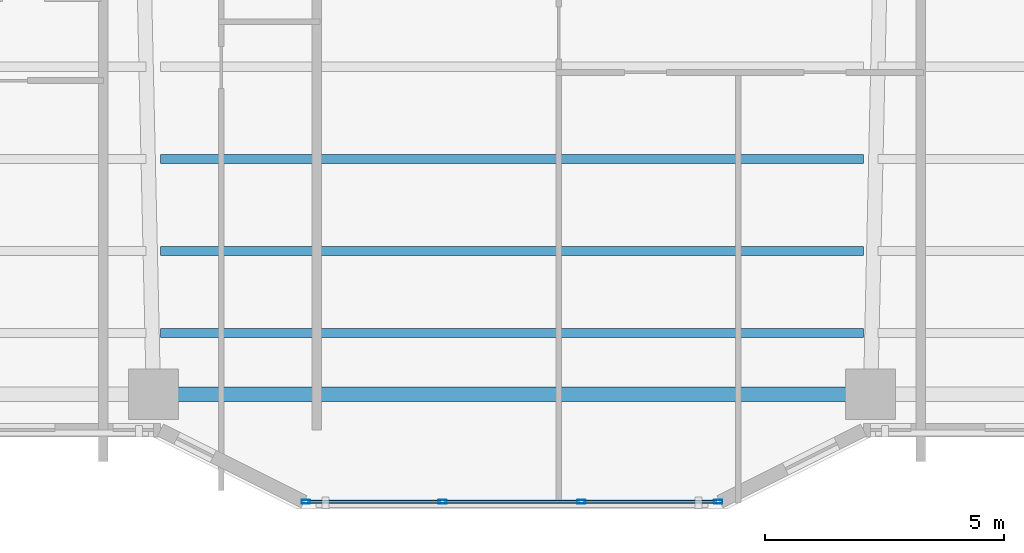
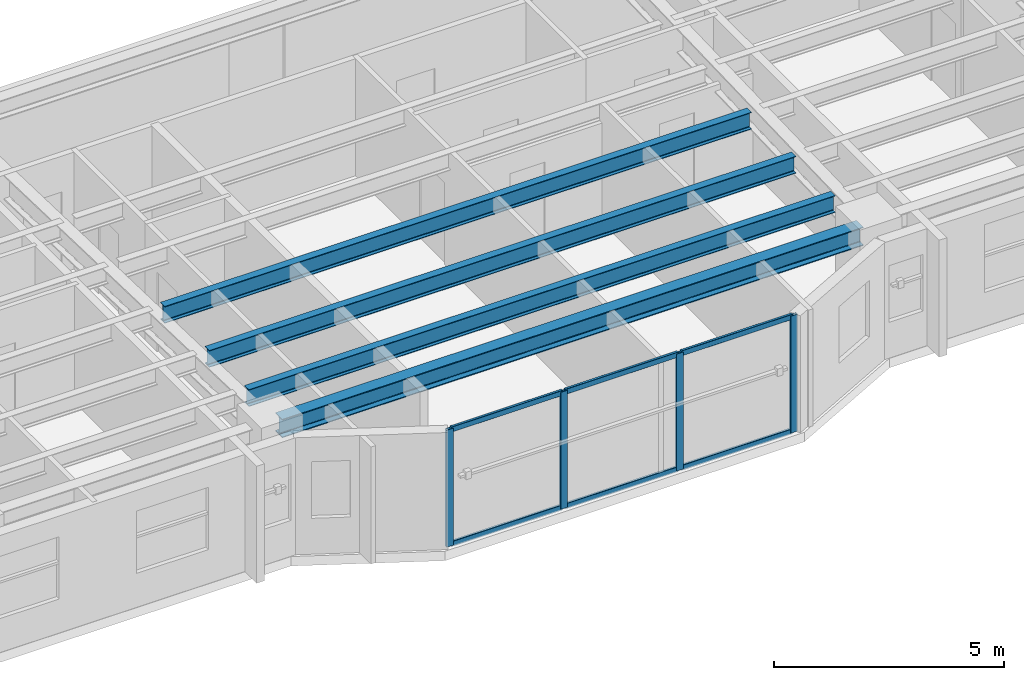
# One storey, part 2 of 18: 10 members, 4 beams, 1 element without a shape of its own.
"""IFC4 building model written with IfcOpenShell, lengths in metres."""

from ifc_helpers import new_model, si_unit, direction, frame, origin, origin_2d, place, context, subcontext, project, spatial, hollow_rectangle, i_section, extrude, material, layer, layer_set, material_profile, profile_set, type_object, element, aggregate, save


model = new_model("IFC4")

# Units and contexts
model_context = context("Model", 3, precision=1e-05, world=origin(), true_north=direction((0.0, 1.0)))
body_context = subcontext(model_context, "Body", "Model", "MODEL_VIEW")
ifc_project = project(units=[si_unit("LENGTHUNIT", "METRE"), si_unit("AREAUNIT", "SQUARE_METRE"), si_unit("VOLUMEUNIT", "CUBIC_METRE"), si_unit("PLANEANGLEUNIT", "RADIAN"), si_unit("MASSUNIT", "GRAM", prefix="KILO")], contexts=[model_context])

# Site, building, storey
site_placement = place(None, origin())
site = spatial("IfcSite", under=ifc_project, at=site_placement, CompositionType="ELEMENT")
building_placement = place(site_placement, origin())
building = spatial("IfcBuilding", under=site, at=building_placement, Name="Tarnavaz Court Tower", CompositionType="ELEMENT")
storey_placement = place(building_placement, frame((0.0, 0.0, 88.35009765625)))
storey = spatial("IfcBuildingStorey", under=building, at=storey_placement, Name="L23", CompositionType="ELEMENT", Elevation=88.35009765625)

# Beams
ifc_material_1 = material(Name="Steel S355", Category="steel")
ifc_material_profile_1 = material_profile(ifc_material_1, i_section(OverallWidth=0.18994140625, OverallDepth=0.449951171875, WebThickness=0.009521484375, FlangeThickness=0.0146484375, FilletRadius=0.02099609375, at=origin_2d()), Name="IPE 450")
ifc_profile_set_1 = profile_set([ifc_material_profile_1], Name="Steel S355")
beam_type_1 = type_object("IfcBeamType", Name="BM-J-IPE450", PredefinedType="JOIST", material=ifc_profile_set_1)
for number, where, z_axis, x_axis, name in (
    (1, (-7.35009765625, -16.3779296875, 2.875), (1.0, 0.0, 0.0), (0.0, 1.0, 0.0), "L23 Beam JS3-2"),
    (2, (-7.35009765625, -18.303955078125, 2.875), (1.0, 0.0, 0.0), (0.0, 1.0, 0.0), "L23 Beam JS4-2"),
    (3, (-7.35009765625, -20.01611328125, 2.875), (1.0, 0.0, 0.0), (0.0, 1.0, 0.0), "L23 Beam JS5-2"),
):
    element("IfcBeam", number, at=place(storey_placement, frame(where, z_axis=z_axis, x_axis=x_axis)), inside=storey, type_object=beam_type_1, Name=name, PredefinedType="JOIST", context=body_context, shape_type="SweptSolid", body=[
        extrude(i_section(OverallWidth=0.18994140625, OverallDepth=0.449951171875, WebThickness=0.009521484375, FlangeThickness=0.0146484375, FilletRadius=0.02099609375, at=origin_2d()), origin(), (0.0, 0.0, 1.0), 14.7001953125),
    ])
ifc_material_profile_2 = material_profile(ifc_material_1, i_section(OverallWidth=0.300048828125, OverallDepth=0.489990234375, WebThickness=0.011962890625, FlangeThickness=0.02294921875, FilletRadius=0.027099609375, at=origin_2d()), Name="HEA 500")
ifc_profile_set_2 = profile_set([ifc_material_profile_2], Name="Steel S355")
beam_type_2 = type_object("IfcBeamType", Name="BM-SP-HEA500", PredefinedType="SPANDREL", material=ifc_profile_set_2)
beam_placement = place(storey_placement, frame((-7.280029296875, -21.300048828125, 2.85498046875), z_axis=(1.0, 0.0, 0.0), x_axis=(0.0, 1.0, 0.0)))
element("IfcBeam", 4, at=beam_placement, inside=storey, type_object=beam_type_2, Name="L23 Beam PR-PS-2-PS-3", PredefinedType="SPANDREL", context=body_context, shape_type="SweptSolid", body=[
    extrude(i_section(OverallWidth=0.300048828125, OverallDepth=0.489990234375, WebThickness=0.011962890625, FlangeThickness=0.02294921875, FilletRadius=0.027099609375, at=origin_2d()), origin(), (0.0, 0.0, 1.0), 14.56005859375),
])

# Curtain wall, members
ifc_material_2 = material(Name="Anodised Aluminium 6063-T6 and Solar Low-E Glazing", Category="aluminium")
ifc_layer = layer(ifc_material_2, 0.179931640625)
ifc_layer_set = layer_set([ifc_layer], Name="Anodised Aluminium 6063-T6 and Solar Low-E Glazing")
curtain_wall_type = type_object("IfcCurtainWallType", Name="CW-SYS-02", PredefinedType="NOTDEFINED", material=ifc_layer_set)
curtain_wall_placement = place(storey_placement, origin())
curtain_wall = element("IfcCurtainWall", 5, at=curtain_wall_placement, inside=storey, type_object=curtain_wall_type, Name="L23 Iwan Prow Curtain Wall 17", PredefinedType="NOTDEFINED")
ifc_material_3 = material(Name="Anodised Aluminium 6063-T6", Category="aluminium")
ifc_material_profile_3 = material_profile(ifc_material_3, hollow_rectangle(XDim=0.074951171875, YDim=0.179931640625, WallThickness=0.0048828125, InnerFilletRadius=0.0048828125, OuterFilletRadius=0.010009765625, at=origin_2d()), Name="ALU RHS 180X75X5")
ifc_profile_set_3 = profile_set([ifc_material_profile_3], Name="Anodised Aluminium 6063-T6")
member_type_1 = type_object("IfcMemberType", Name="CW-MUL-180", PredefinedType="MULLION", material=ifc_profile_set_3)
member_1_placement = place(storey_placement, frame((4.3125, -23.550048828125, 0.0), z_axis=(0.0, 0.0, 1.0), x_axis=(0.0, -1.0, 0.0)))
member_1 = element("IfcMember", 6, at=member_1_placement, type_object=member_type_1, Name="CW mullion 1", PredefinedType="MULLION", context=body_context, shape_type="SweptSolid", body=[
    extrude(hollow_rectangle(XDim=0.074951171875, YDim=0.179931640625, WallThickness=0.0048828125, InnerFilletRadius=0.0048828125, OuterFilletRadius=0.010009765625, at=origin_2d()), origin(), (0.0, 0.0, 1.0), 3.099853515625),
])
member_2_placement = place(storey_placement, frame((1.449951171875, -23.550048828125, 0.0), z_axis=(0.0, 0.0, 1.0), x_axis=(0.0, -1.0, 0.0)))
member_2 = element("IfcMember", 7, at=member_2_placement, type_object=member_type_1, Name="CW mullion 2", PredefinedType="MULLION", context=body_context, shape_type="SweptSolid", body=[
    extrude(hollow_rectangle(XDim=0.074951171875, YDim=0.179931640625, WallThickness=0.0048828125, InnerFilletRadius=0.0048828125, OuterFilletRadius=0.010009765625, at=origin_2d()), origin(), (0.0, 0.0, 1.0), 3.099853515625),
])
member_3_placement = place(storey_placement, frame((-1.449951171875, -23.550048828125, 0.0), z_axis=(0.0, 0.0, 1.0), x_axis=(0.0, -1.0, 0.0)))
member_3 = element("IfcMember", 8, at=member_3_placement, type_object=member_type_1, Name="CW mullion 3", PredefinedType="MULLION", context=body_context, shape_type="SweptSolid", body=[
    extrude(hollow_rectangle(XDim=0.074951171875, YDim=0.179931640625, WallThickness=0.0048828125, InnerFilletRadius=0.0048828125, OuterFilletRadius=0.010009765625, at=origin_2d()), origin(), (0.0, 0.0, 1.0), 3.099853515625),
])
member_4_placement = place(storey_placement, frame((-4.3125, -23.550048828125, 0.0), z_axis=(0.0, 0.0, 1.0), x_axis=(0.0, -1.0, 0.0)))
member_4 = element("IfcMember", 9, at=member_4_placement, type_object=member_type_1, Name="CW mullion 4", PredefinedType="MULLION", context=body_context, shape_type="SweptSolid", body=[
    extrude(hollow_rectangle(XDim=0.074951171875, YDim=0.179931640625, WallThickness=0.0048828125, InnerFilletRadius=0.0048828125, OuterFilletRadius=0.010009765625, at=origin_2d()), origin(), (0.0, 0.0, 1.0), 3.099853515625),
])
ifc_material_profile_4 = material_profile(ifc_material_3, hollow_rectangle(XDim=0.06494140625, YDim=0.139892578125, WallThickness=0.00390625, InnerFilletRadius=0.00390625, OuterFilletRadius=0.008056640625, at=origin_2d()), Name="ALU RHS 140X65X4")
ifc_profile_set_4 = profile_set([ifc_material_profile_4], Name="Anodised Aluminium 6063-T6")
member_type_2 = type_object("IfcMemberType", Name="CW-TRN-140", PredefinedType="USERDEFINED", material=ifc_profile_set_4)
member_5_placement = place(storey_placement, frame((4.27490234375, -23.550048828125, 0.032470703125), z_axis=(-1.0, 0.0, 0.0), x_axis=(0.0, -1.0, 0.0)))
member_5 = element("IfcMember", 10, at=member_5_placement, type_object=member_type_2, Name="CW transom 1.1", ObjectType="TRANSOM", PredefinedType="USERDEFINED", context=body_context, shape_type="SweptSolid", body=[
    extrude(hollow_rectangle(XDim=0.06494140625, YDim=0.139892578125, WallThickness=0.00390625, InnerFilletRadius=0.00390625, OuterFilletRadius=0.008056640625, at=origin_2d()), origin(), (0.0, 0.0, 1.0), 2.787353515625),
])
member_6_placement = place(storey_placement, frame((4.27490234375, -23.550048828125, 3.0673828125), z_axis=(-1.0, 0.0, 0.0), x_axis=(0.0, -1.0, 0.0)))
member_6 = element("IfcMember", 11, at=member_6_placement, type_object=member_type_2, Name="CW transom 1.2", ObjectType="TRANSOM", PredefinedType="USERDEFINED", context=body_context, shape_type="SweptSolid", body=[
    extrude(hollow_rectangle(XDim=0.06494140625, YDim=0.139892578125, WallThickness=0.00390625, InnerFilletRadius=0.00390625, OuterFilletRadius=0.008056640625, at=origin_2d()), origin(), (0.0, 0.0, 1.0), 2.787353515625),
])
member_7_placement = place(storey_placement, frame((1.41259765625, -23.550048828125, 0.032470703125), z_axis=(-1.0, 0.0, 0.0), x_axis=(0.0, -1.0, 0.0)))
member_7 = element("IfcMember", 12, at=member_7_placement, type_object=member_type_2, Name="CW transom 2.1", ObjectType="TRANSOM", PredefinedType="USERDEFINED", context=body_context, shape_type="SweptSolid", body=[
    extrude(hollow_rectangle(XDim=0.06494140625, YDim=0.139892578125, WallThickness=0.00390625, InnerFilletRadius=0.00390625, OuterFilletRadius=0.008056640625, at=origin_2d()), origin(), (0.0, 0.0, 1.0), 2.8251953125),
])
member_8_placement = place(storey_placement, frame((1.41259765625, -23.550048828125, 3.0673828125), z_axis=(-1.0, 0.0, 0.0), x_axis=(0.0, -1.0, 0.0)))
member_8 = element("IfcMember", 13, at=member_8_placement, type_object=member_type_2, Name="CW transom 2.2", ObjectType="TRANSOM", PredefinedType="USERDEFINED", context=body_context, shape_type="SweptSolid", body=[
    extrude(hollow_rectangle(XDim=0.06494140625, YDim=0.139892578125, WallThickness=0.00390625, InnerFilletRadius=0.00390625, OuterFilletRadius=0.008056640625, at=origin_2d()), origin(), (0.0, 0.0, 1.0), 2.8251953125),
])
member_9_placement = place(storey_placement, frame((-1.487548828125, -23.550048828125, 0.032470703125), z_axis=(-1.0, 0.0, 0.0), x_axis=(0.0, -1.0, 0.0)))
member_9 = element("IfcMember", 14, at=member_9_placement, type_object=member_type_2, Name="CW transom 3.1", ObjectType="TRANSOM", PredefinedType="USERDEFINED", context=body_context, shape_type="SweptSolid", body=[
    extrude(hollow_rectangle(XDim=0.06494140625, YDim=0.139892578125, WallThickness=0.00390625, InnerFilletRadius=0.00390625, OuterFilletRadius=0.008056640625, at=origin_2d()), origin(), (0.0, 0.0, 1.0), 2.787353515625),
])
member_10_placement = place(storey_placement, frame((-1.487548828125, -23.550048828125, 3.0673828125), z_axis=(-1.0, 0.0, 0.0), x_axis=(0.0, -1.0, 0.0)))
member_10 = element("IfcMember", 15, at=member_10_placement, type_object=member_type_2, Name="CW transom 3.2", ObjectType="TRANSOM", PredefinedType="USERDEFINED", context=body_context, shape_type="SweptSolid", body=[
    extrude(hollow_rectangle(XDim=0.06494140625, YDim=0.139892578125, WallThickness=0.00390625, InnerFilletRadius=0.00390625, OuterFilletRadius=0.008056640625, at=origin_2d()), origin(), (0.0, 0.0, 1.0), 2.787353515625),
])
aggregate(curtain_wall, [member_1, member_2, member_3, member_4, member_5, member_6, member_7, member_8, member_9, member_10])

save(model, "model.ifc")
